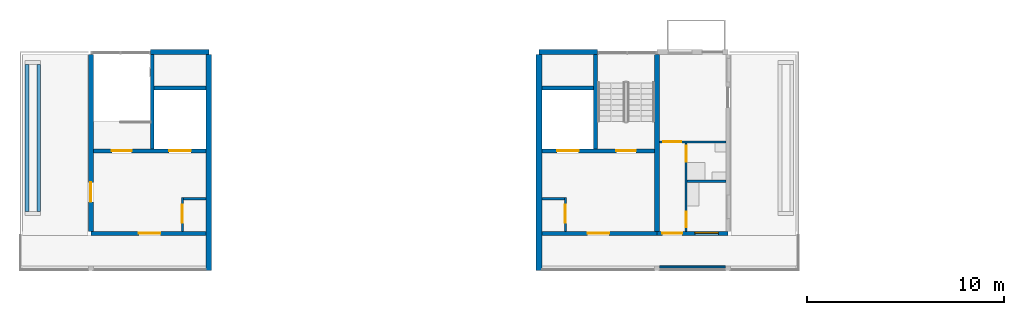
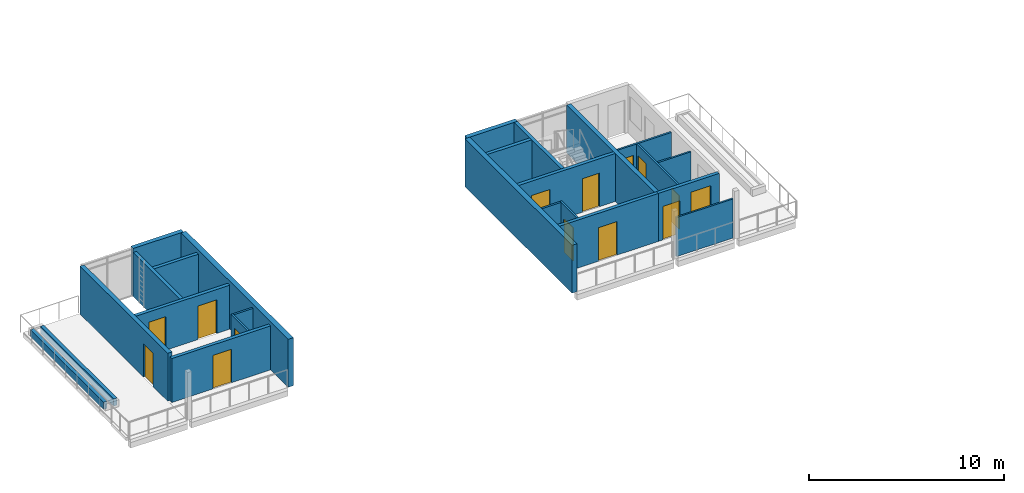
# One storey, part 21 of 33: 25 walls, 13 doors, 1 window, 14 openings.
"""IFC4 building model written with IfcOpenShell, lengths in metres."""

from ifc_helpers import new_model, si_unit, direction, frame, frame_2d, origin, place, context, subcontext, project, spatial, rectangle, extrude, material, layer, layer_set, type_object, element, fill, save


model = new_model("IFC4")

# Units and contexts
model_context = context("Model", 3, precision=1e-05, world=origin(), true_north=direction((0.0, 1.0)))
body_context = subcontext(model_context, "Body", "Model", "MODEL_VIEW")
ifc_project = project(units=[si_unit("LENGTHUNIT", "METRE"), si_unit("AREAUNIT", "SQUARE_METRE"), si_unit("VOLUMEUNIT", "CUBIC_METRE"), si_unit("PLANEANGLEUNIT", "RADIAN"), si_unit("MASSUNIT", "GRAM", prefix="KILO")], contexts=[model_context])

# Site, building, storey
site_placement = place(None, origin())
site = spatial("IfcSite", under=ifc_project, at=site_placement, CompositionType="ELEMENT")
building_placement = place(site_placement, origin())
building = spatial("IfcBuilding", under=site, at=building_placement, Name="Ridgestep Commons", CompositionType="ELEMENT")
storey_placement = place(building_placement, frame((0.0, 0.0, 42.0)))
storey = spatial("IfcBuildingStorey", under=building, at=storey_placement, Name="L14", CompositionType="ELEMENT", Elevation=42.0)

# Wall
ifc_material_1 = material(Name="Concrete C30/37", Category="concrete")
ifc_layer_1 = layer(ifc_material_1, 0.25)
ifc_layer_set_1 = layer_set([ifc_layer_1], Name="Core cross wall 250")
wall_type_1 = type_object("IfcWallType", Name="Core cross wall 250", PredefinedType="SHEAR", material=ifc_layer_set_1)
wall_1_placement = place(storey_placement, frame((51.60009765625, 13.75, 0.0), z_axis=(0.0, 0.0, 1.0), x_axis=(0.0, 1.0, 0.0)))
element("IfcWall", 1, at=wall_1_placement, inside=storey, type_object=wall_type_1, Name="Cross wall A-14-0516", PredefinedType="SHEAR", context=body_context, shape_type="SweptSolid", body=[
    extrude(rectangle(XDim=9.0, YDim=0.25, at=frame_2d((4.5, 0.0))), origin(), (0.0, 0.0, 1.0), 3.0),
])

# Wall, opening, door
ifc_material_2 = material(Name="Concrete C30/37", Category="concrete")
ifc_layer_2 = layer(ifc_material_2, 0.199951171875)
ifc_layer_set_2 = layer_set([ifc_layer_2], Name="Core south wall 200")
wall_type_2 = type_object("IfcWallType", Name="Core south wall 200", PredefinedType="SHEAR", material=ifc_layer_set_2)
wall_2_placement = place(storey_placement, frame((22.800048828125, 13.64990234375, 0.0), z_axis=(0.0, 0.0, 1.0), x_axis=(1.0, 0.0, 0.0)))
wall_2 = element("IfcWall", 2, at=wall_2_placement, inside=storey, type_object=wall_type_2, Name="Core south wall A1C L14", PredefinedType="SHEAR", context=body_context, shape_type="SweptSolid", body=[
    extrude(rectangle(XDim=5.849853515625, YDim=0.199951171875, at=frame_2d((2.9248046875, 0.0))), origin(), (0.0, 0.0, 1.0), 2.75),
])
opening_1_placement = place(wall_2_placement, frame((2.4375, 0.0, 0.0)))
opening_1 = element("IfcOpeningElement", 3, at=opening_1_placement, cuts=wall_2, Name="Opening A1C/14/1", PredefinedType="OPENING", context=body_context, shape_type="SweptSolid", body=[
    extrude(rectangle(XDim=1.10009765625, YDim=2.10009765625, at=frame_2d((0.550048828125, 1.050048828125))), frame((0.0, 0.10986328125, 0.0), z_axis=(0.0, -1.0, 0.0), x_axis=(1.0, 0.0, 0.0)), (0.0, 0.0, 1.0), 0.219970703125),
])
ifc_material_3 = material(Name="Steel fire door", Category="steel")
door_type_1 = type_object("IfcDoorType", Name="Lobby door 1100 x 2100 FD60", OperationType="NOTDEFINED", PredefinedType="DOOR", material=ifc_material_3)
door_1_placement = place(opening_1_placement, origin())
door_1 = element("IfcDoor", 4, at=door_1_placement, inside=storey, type_object=door_type_1, Name="Lobby door A1C/14/1", OperationType="SINGLE_SWING_LEFT", OverallHeight=2.10009765625, OverallWidth=1.10009765625, PredefinedType="DOOR", context=body_context, shape_type="SweptSolid", body=[
    extrude(rectangle(XDim=1.10009765625, YDim=2.10009765625, at=frame_2d((0.550048828125, 1.050048828125))), frame((0.0, 0.02490234375, 0.0), z_axis=(0.0, -1.0, 0.0), x_axis=(1.0, 0.0, 0.0)), (0.0, 0.0, 1.0), 0.050048828125),
])
fill(opening_1, door_1)

wall_3_placement = place(storey_placement, frame((45.75, 13.64990234375, 0.0), z_axis=(0.0, 0.0, 1.0), x_axis=(1.0, 0.0, 0.0)))
wall_3 = element("IfcWall", 5, at=wall_3_placement, inside=storey, type_object=wall_type_2, Name="Core south wall A3C L14", PredefinedType="SHEAR", context=body_context, shape_type="SweptSolid", body=[
    extrude(rectangle(XDim=5.85009765625, YDim=0.199951171875, at=frame_2d((2.925048828125, 0.0))), origin(), (0.0, 0.0, 1.0), 3.0),
])
opening_2_placement = place(wall_3_placement, frame((2.3125, 0.0, 0.0)))
opening_2 = element("IfcOpeningElement", 6, at=opening_2_placement, cuts=wall_3, Name="Opening A3C/14/1", PredefinedType="OPENING", context=body_context, shape_type="SweptSolid", body=[
    extrude(rectangle(XDim=1.10009765625, YDim=2.10009765625, at=frame_2d((0.550048828125, 1.050048828125))), frame((0.0, 0.10986328125, 0.0), z_axis=(0.0, -1.0, 0.0), x_axis=(1.0, 0.0, 0.0)), (0.0, 0.0, 1.0), 0.219970703125),
])
door_2_placement = place(opening_2_placement, origin())
door_2 = element("IfcDoor", 7, at=door_2_placement, inside=storey, type_object=door_type_1, Name="Lobby door A3C/14/1", OperationType="SINGLE_SWING_LEFT", OverallHeight=2.10009765625, OverallWidth=1.10009765625, PredefinedType="DOOR", context=body_context, shape_type="SweptSolid", body=[
    extrude(rectangle(XDim=1.10009765625, YDim=2.10009765625, at=frame_2d((0.550048828125, 1.050048828125))), frame((0.0, 0.02490234375, 0.0), z_axis=(0.0, -1.0, 0.0), x_axis=(1.0, 0.0, 0.0)), (0.0, 0.0, 1.0), 0.050048828125),
])
fill(opening_2, door_2)

ifc_material_4 = material(Name="Concrete C30/37", Category="concrete")
ifc_layer_3 = layer(ifc_material_4, 0.1201171875)
ifc_layer_set_3 = layer_set([ifc_layer_3], Name="Core wall 120")
wall_type_3 = type_object("IfcWallType", Name="Core wall 120", PredefinedType="SHEAR", material=ifc_layer_set_3)
wall_4_placement = place(storey_placement, frame((27.4599609375, 13.75, 0.0), z_axis=(0.0, 0.0, 1.0), x_axis=(0.0, 1.0, 0.0)))
wall_4 = element("IfcWall", 8, at=wall_4_placement, inside=storey, type_object=wall_type_3, Name="Core riser w wall A1C L14", PredefinedType="SHEAR", context=body_context, shape_type="SweptSolid", body=[
    extrude(rectangle(XDim=1.719970703125, YDim=0.1201171875, at=frame_2d((0.85986328125, 0.0))), origin(), (0.0, 0.0, 1.0), 2.75),
])
opening_3_placement = place(wall_4_placement, frame((0.449951171875, 0.0, 0.0)))
opening_3 = element("IfcOpeningElement", 9, at=opening_3_placement, cuts=wall_4, Name="Opening A1C/14/4", PredefinedType="OPENING", context=body_context, shape_type="SweptSolid", body=[
    extrude(rectangle(XDim=0.89990234375, YDim=2.10009765625, at=frame_2d((0.449951171875, 1.050048828125))), frame((0.0, 0.070068359375, 0.0), z_axis=(0.0, -1.0, 0.0), x_axis=(1.0, 0.0, 0.0)), (0.0, 0.0, 1.0), 0.14013671875),
])
ifc_material_5 = material(Name="Steel fire door", Category="steel")
door_type_2 = type_object("IfcDoorType", Name="Riser door 900 x 2100 FD60", OperationType="NOTDEFINED", PredefinedType="DOOR", material=ifc_material_5)
door_3_placement = place(opening_3_placement, origin())
door_3 = element("IfcDoor", 10, at=door_3_placement, inside=storey, type_object=door_type_2, Name="Riser door A1C/14/4", OperationType="SINGLE_SWING_LEFT", OverallHeight=2.10009765625, OverallWidth=0.89990234375, PredefinedType="DOOR", context=body_context, shape_type="SweptSolid", body=[
    extrude(rectangle(XDim=0.89990234375, YDim=2.10009765625, at=frame_2d((0.449951171875, 1.050048828125))), frame((0.0, 0.02490234375, 0.0), z_axis=(0.0, -1.0, 0.0), x_axis=(1.0, 0.0, 0.0)), (0.0, 0.0, 1.0), 0.050048828125),
])
fill(opening_3, door_3)

# Wall
wall_5_placement = place(storey_placement, frame((27.52001953125, 15.409912109375, 0.0), z_axis=(0.0, 0.0, 1.0), x_axis=(1.0, 0.0, 0.0)))
element("IfcWall", 11, at=wall_5_placement, inside=storey, type_object=wall_type_3, Name="Core riser n wall A1C L14", PredefinedType="SHEAR", context=body_context, shape_type="SweptSolid", body=[
    extrude(rectangle(XDim=1.1298828125, YDim=0.1201171875, at=frame_2d((0.56494140625, 0.0))), origin(), (0.0, 0.0, 1.0), 2.75),
])

# Wall, opening, door
wall_6_placement = place(storey_placement, frame((46.93994140625, 13.75, 0.0), z_axis=(0.0, 0.0, 1.0), x_axis=(0.0, 1.0, 0.0)))
wall_6 = element("IfcWall", 12, at=wall_6_placement, inside=storey, type_object=wall_type_3, Name="Core riser w wall A3C L14", PredefinedType="SHEAR", context=body_context, shape_type="SweptSolid", body=[
    extrude(rectangle(XDim=1.719970703125, YDim=0.1201171875, at=frame_2d((0.85986328125, 0.0))), origin(), (0.0, 0.0, 1.0), 3.0),
])
opening_4_placement = place(wall_6_placement, frame((0.449951171875, 0.0, 0.0)))
opening_4 = element("IfcOpeningElement", 13, at=opening_4_placement, cuts=wall_6, Name="Opening A3C/14/4", PredefinedType="OPENING", context=body_context, shape_type="SweptSolid", body=[
    extrude(rectangle(XDim=0.89990234375, YDim=2.10009765625, at=frame_2d((0.449951171875, 1.050048828125))), frame((0.0, 0.070068359375, 0.0), z_axis=(0.0, -1.0, 0.0), x_axis=(1.0, 0.0, 0.0)), (0.0, 0.0, 1.0), 0.14013671875),
])
door_4_placement = place(opening_4_placement, origin())
door_4 = element("IfcDoor", 14, at=door_4_placement, inside=storey, type_object=door_type_2, Name="Riser door A3C/14/4", OperationType="SINGLE_SWING_RIGHT", OverallHeight=2.10009765625, OverallWidth=0.89990234375, PredefinedType="DOOR", context=body_context, shape_type="SweptSolid", body=[
    extrude(rectangle(XDim=0.89990234375, YDim=2.10009765625, at=frame_2d((0.449951171875, 1.050048828125))), frame((0.0, 0.02490234375, 0.0), z_axis=(0.0, -1.0, 0.0), x_axis=(1.0, 0.0, 0.0)), (0.0, 0.0, 1.0), 0.050048828125),
])
fill(opening_4, door_4)

# Wall
wall_7_placement = place(storey_placement, frame((45.75, 15.409912109375, 0.0), z_axis=(0.0, 0.0, 1.0), x_axis=(1.0, 0.0, 0.0)))
element("IfcWall", 15, at=wall_7_placement, inside=storey, type_object=wall_type_3, Name="Core riser n wall A3C L14", PredefinedType="SHEAR", context=body_context, shape_type="SweptSolid", body=[
    extrude(rectangle(XDim=1.1298828125, YDim=0.1201171875, at=frame_2d((0.56494140625, 0.0))), origin(), (0.0, 0.0, 1.0), 3.0),
])

# Wall, openings, doors
ifc_material_6 = material(Name="Concrete C30/37", Category="concrete")
ifc_layer_4 = layer(ifc_material_6, 0.199951171875)
ifc_layer_set_4 = layer_set([ifc_layer_4], Name="Core wall 200")
wall_type_4 = type_object("IfcWallType", Name="Core wall 200", PredefinedType="SHEAR", material=ifc_layer_set_4)
wall_8_placement = place(storey_placement, frame((22.925048828125, 17.85009765625, 0.0), z_axis=(0.0, 0.0, 1.0), x_axis=(1.0, 0.0, 0.0)))
wall_8 = element("IfcWall", 16, at=wall_8_placement, inside=storey, type_object=wall_type_4, Name="Core lobby wall A1C L14", PredefinedType="SHEAR", context=body_context, shape_type="SweptSolid", body=[
    extrude(rectangle(XDim=5.724853515625, YDim=0.199951171875, at=frame_2d((2.8623046875, 0.0))), origin(), (0.0, 0.0, 1.0), 2.75),
])
opening_5_placement = place(wall_8_placement, frame((0.949951171875, 0.0, 0.0)))
opening_5 = element("IfcOpeningElement", 17, at=opening_5_placement, cuts=wall_8, Name="Opening A1C/14/2", PredefinedType="OPENING", context=body_context, shape_type="SweptSolid", body=[
    extrude(rectangle(XDim=1.0, YDim=2.10009765625, at=frame_2d((0.5, 1.050048828125))), frame((0.0, 0.10986328125, 0.0), z_axis=(0.0, -1.0, 0.0), x_axis=(1.0, 0.0, 0.0)), (0.0, 0.0, 1.0), 0.219970703125),
])
opening_6_placement = place(wall_8_placement, frame((3.862548828125, 0.0, 0.0)))
opening_6 = element("IfcOpeningElement", 18, at=opening_6_placement, cuts=wall_8, Name="Opening A1C/14/3", PredefinedType="OPENING", context=body_context, shape_type="SweptSolid", body=[
    extrude(rectangle(XDim=1.10009765625, YDim=2.10009765625, at=frame_2d((0.550048828125, 1.050048828125))), frame((0.0, 0.10986328125, 0.0), z_axis=(0.0, -1.0, 0.0), x_axis=(1.0, 0.0, 0.0)), (0.0, 0.0, 1.0), 0.219970703125),
])
ifc_material_7 = material(Name="Stainless steel", Category="steel")
door_type_3 = type_object("IfcDoorType", Name="Lift landing door 1100 x 2100 FD60", OperationType="DOUBLE_DOOR_SLIDING", PredefinedType="DOOR", material=ifc_material_7)
door_5_placement = place(opening_6_placement, origin())
door_5 = element("IfcDoor", 19, at=door_5_placement, inside=storey, type_object=door_type_3, Name="Landing door LD A1C L14", OperationType="DOUBLE_DOOR_SLIDING", OverallHeight=2.10009765625, OverallWidth=1.10009765625, PredefinedType="DOOR", context=body_context, shape_type="SweptSolid", body=[
    extrude(rectangle(XDim=1.10009765625, YDim=2.10009765625, at=frame_2d((0.550048828125, 1.050048828125))), frame((0.0, 0.02490234375, 0.0), z_axis=(0.0, -1.0, 0.0), x_axis=(1.0, 0.0, 0.0)), (0.0, 0.0, 1.0), 0.050048828125),
])
fill(opening_6, door_5)
ifc_material_8 = material(Name="Steel fire door", Category="steel")
door_type_4 = type_object("IfcDoorType", Name="Stair door 1000 x 2100 FD60", OperationType="NOTDEFINED", PredefinedType="DOOR", material=ifc_material_8)
door_6_placement = place(opening_5_placement, origin())
door_6 = element("IfcDoor", 20, at=door_6_placement, inside=storey, type_object=door_type_4, Name="Stair door A1C/14/2", OperationType="SINGLE_SWING_RIGHT", OverallHeight=2.10009765625, OverallWidth=1.0, PredefinedType="DOOR", context=body_context, shape_type="SweptSolid", body=[
    extrude(rectangle(XDim=1.0, YDim=2.10009765625, at=frame_2d((0.5, 1.050048828125))), frame((0.0, 0.02490234375, 0.0), z_axis=(0.0, -1.0, 0.0), x_axis=(1.0, 0.0, 0.0)), (0.0, 0.0, 1.0), 0.050048828125),
])
fill(opening_5, door_6)

# Walls
wall_9_placement = place(storey_placement, frame((25.925048828125, 17.949951171875, 0.0), z_axis=(0.0, 0.0, 1.0), x_axis=(0.0, 1.0, 0.0)))
element("IfcWall", 21, at=wall_9_placement, inside=storey, type_object=wall_type_4, Name="Core stair wall A1C L14", PredefinedType="SHEAR", context=body_context, shape_type="SweptSolid", body=[
    extrude(rectangle(XDim=4.800048828125, YDim=0.199951171875, at=frame_2d((2.39990234375, 0.0))), origin(), (0.0, 0.0, 1.0), 2.75),
])
wall_10_placement = place(storey_placement, frame((26.02490234375, 21.050048828125, 0.0), z_axis=(0.0, 0.0, 1.0), x_axis=(1.0, 0.0, 0.0)))
element("IfcWall", 22, at=wall_10_placement, inside=storey, type_object=wall_type_4, Name="Core duct wall A1C L14", PredefinedType="SHEAR", context=body_context, shape_type="SweptSolid", body=[
    extrude(rectangle(XDim=2.625, YDim=0.199951171875, at=frame_2d((1.3125, 0.0))), origin(), (0.0, 0.0, 1.0), 2.75),
])

# Wall, openings, doors
wall_11_placement = place(storey_placement, frame((45.75, 17.85009765625, 0.0), z_axis=(0.0, 0.0, 1.0), x_axis=(1.0, 0.0, 0.0)))
wall_11 = element("IfcWall", 23, at=wall_11_placement, inside=storey, type_object=wall_type_4, Name="Core lobby wall A3C L14", PredefinedType="SHEAR", context=body_context, shape_type="SweptSolid", body=[
    extrude(rectangle(XDim=5.72509765625, YDim=0.199951171875, at=frame_2d((2.862548828125, 0.0))), origin(), (0.0, 0.0, 1.0), 3.0),
])
opening_7_placement = place(wall_11_placement, frame((3.77490234375, 0.0, 0.0)))
opening_7 = element("IfcOpeningElement", 24, at=opening_7_placement, cuts=wall_11, Name="Opening A3C/14/2", PredefinedType="OPENING", context=body_context, shape_type="SweptSolid", body=[
    extrude(rectangle(XDim=1.0, YDim=2.10009765625, at=frame_2d((0.5, 1.050048828125))), frame((0.0, 0.10986328125, 0.0), z_axis=(0.0, -1.0, 0.0), x_axis=(1.0, 0.0, 0.0)), (0.0, 0.0, 1.0), 0.219970703125),
])
opening_8_placement = place(wall_11_placement, frame((0.762451171875, 0.0, 0.0)))
opening_8 = element("IfcOpeningElement", 25, at=opening_8_placement, cuts=wall_11, Name="Opening A3C/14/3", PredefinedType="OPENING", context=body_context, shape_type="SweptSolid", body=[
    extrude(rectangle(XDim=1.10009765625, YDim=2.10009765625, at=frame_2d((0.550048828125, 1.050048828125))), frame((0.0, 0.10986328125, 0.0), z_axis=(0.0, -1.0, 0.0), x_axis=(1.0, 0.0, 0.0)), (0.0, 0.0, 1.0), 0.219970703125),
])
door_7_placement = place(opening_8_placement, origin())
door_7 = element("IfcDoor", 26, at=door_7_placement, inside=storey, type_object=door_type_3, Name="Landing door LD A3C L14", OperationType="DOUBLE_DOOR_SLIDING", OverallHeight=2.10009765625, OverallWidth=1.10009765625, PredefinedType="DOOR", context=body_context, shape_type="SweptSolid", body=[
    extrude(rectangle(XDim=1.10009765625, YDim=2.10009765625, at=frame_2d((0.550048828125, 1.050048828125))), frame((0.0, 0.02490234375, 0.0), z_axis=(0.0, -1.0, 0.0), x_axis=(1.0, 0.0, 0.0)), (0.0, 0.0, 1.0), 0.050048828125),
])
fill(opening_8, door_7)
door_8_placement = place(opening_7_placement, origin())
door_8 = element("IfcDoor", 27, at=door_8_placement, inside=storey, type_object=door_type_4, Name="Stair door A3C/14/2", OperationType="SINGLE_SWING_RIGHT", OverallHeight=2.10009765625, OverallWidth=1.0, PredefinedType="DOOR", context=body_context, shape_type="SweptSolid", body=[
    extrude(rectangle(XDim=1.0, YDim=2.10009765625, at=frame_2d((0.5, 1.050048828125))), frame((0.0, 0.02490234375, 0.0), z_axis=(0.0, -1.0, 0.0), x_axis=(1.0, 0.0, 0.0)), (0.0, 0.0, 1.0), 0.050048828125),
])
fill(opening_7, door_8)

# Walls
wall_12_placement = place(storey_placement, frame((48.47509765625, 17.949951171875, 0.0), z_axis=(0.0, 0.0, 1.0), x_axis=(0.0, 1.0, 0.0)))
element("IfcWall", 28, at=wall_12_placement, inside=storey, type_object=wall_type_4, Name="Core stair wall A3C L14", PredefinedType="SHEAR", context=body_context, shape_type="SweptSolid", body=[
    extrude(rectangle(XDim=4.800048828125, YDim=0.199951171875, at=frame_2d((2.39990234375, 0.0))), origin(), (0.0, 0.0, 1.0), 3.0),
])
wall_13_placement = place(storey_placement, frame((45.75, 21.050048828125, 0.0), z_axis=(0.0, 0.0, 1.0), x_axis=(1.0, 0.0, 0.0)))
element("IfcWall", 29, at=wall_13_placement, inside=storey, type_object=wall_type_4, Name="Core duct wall A3C L14", PredefinedType="SHEAR", context=body_context, shape_type="SweptSolid", body=[
    extrude(rectangle(XDim=2.625, YDim=0.199951171875, at=frame_2d((1.3125, 0.0))), origin(), (0.0, 0.0, 1.0), 3.0),
])

# Wall, opening, door
ifc_material_9 = material(Name="Concrete C30/37", Category="concrete")
ifc_layer_5 = layer(ifc_material_9, 0.25)
ifc_layer_set_5 = layer_set([ifc_layer_5], Name="Exposed core cross wall 250")
wall_type_5 = type_object("IfcWallType", Name="Exposed core cross wall 250", PredefinedType="SHEAR", material=ifc_layer_set_5)
wall_14_placement = place(storey_placement, frame((22.800048828125, 13.75, 0.0), z_axis=(0.0, 0.0, 1.0), x_axis=(0.0, 1.0, 0.0)))
wall_14 = element("IfcWall", 30, at=wall_14_placement, inside=storey, type_object=wall_type_5, Name="Cross wall A-14-0228", PredefinedType="SHEAR", context=body_context, shape_type="SweptSolid", body=[
    extrude(rectangle(XDim=9.0, YDim=0.25, at=frame_2d((4.5, 0.0))), origin(), (0.0, 0.0, 1.0), 3.0),
])
opening_9_placement = place(wall_14_placement, frame((1.5, 0.0, 0.0)))
opening_9 = element("IfcOpeningElement", 31, at=opening_9_placement, cuts=wall_14, Name="Opening A1C/14/T", PredefinedType="OPENING", context=body_context, shape_type="SweptSolid", body=[
    extrude(rectangle(XDim=1.0, YDim=2.10009765625, at=frame_2d((0.5, 1.050048828125))), frame((0.0, 0.135009765625, 0.0), z_axis=(0.0, -1.0, 0.0), x_axis=(1.0, 0.0, 0.0)), (0.0, 0.0, 1.0), 0.27001953125),
])
ifc_material_10 = material(Name="Aluminium and glass", Category="aluminium")
door_type_5 = type_object("IfcDoorType", Name="Terrace door 1000 x 2100 FD60", OperationType="NOTDEFINED", PredefinedType="DOOR", material=ifc_material_10)
door_9_placement = place(opening_9_placement, origin())
door_9 = element("IfcDoor", 32, at=door_9_placement, inside=storey, type_object=door_type_5, Name="Terrace door A1C/14/T", OperationType="SINGLE_SWING_LEFT", OverallHeight=2.10009765625, OverallWidth=1.0, PredefinedType="DOOR", context=body_context, shape_type="SweptSolid", body=[
    extrude(rectangle(XDim=1.0, YDim=2.10009765625, at=frame_2d((0.5, 1.050048828125))), frame((0.0, 0.02490234375, 0.0), z_axis=(0.0, -1.0, 0.0), x_axis=(1.0, 0.0, 0.0)), (0.0, 0.0, 1.0), 0.050048828125),
])
fill(opening_9, door_9)

# Walls
ifc_material_11 = material(Name="Precast concrete C40/50", Category="concrete")
ifc_layer_6 = layer(ifc_material_11, 0.300048828125)
ifc_layer_set_6 = layer_set([ifc_layer_6], Name="Exposed division wall 300")
wall_type_6 = type_object("IfcWallType", Name="Exposed division wall 300", PredefinedType="SHEAR", material=ifc_layer_set_6)
for number, where, z_axis, x_axis, name in (
    (33, (28.800048828125, 11.75, 0.0), (0.0, 0.0, 1.0), (0.0, 1.0, 0.0), "Cross wall A-14-0288"),
    (34, (45.60009765625, 11.75, 0.0), (0.0, 0.0, 1.0), (0.0, 1.0, 0.0), "Cross wall A-14-0456"),
):
    element("IfcWall", number, at=place(storey_placement, frame(where, z_axis=z_axis, x_axis=x_axis)), inside=storey, type_object=wall_type_6, Name=name, PredefinedType="SHEAR", context=body_context, shape_type="SweptSolid", body=[
        extrude(rectangle(XDim=11.0, YDim=0.300048828125, at=frame_2d((5.5, 0.0))), origin(), (0.0, 0.0, 1.0), 3.0),
    ])
ifc_material_12 = material(Name="Precast concrete C40/50", Category="concrete")
ifc_layer_7 = layer(ifc_material_12, 0.25)
ifc_layer_set_7 = layer_set([ifc_layer_7], Name="North facade panel 250")
wall_type_7 = type_object("IfcWallType", Name="North facade panel 250", PredefinedType="SOLIDWALL", material=ifc_layer_set_7)
wall_15_placement = place(storey_placement, frame((25.824951171875, 22.875, 0.0), z_axis=(0.0, 0.0, 1.0), x_axis=(1.0, 0.0, 0.0)))
element("IfcWall", 35, at=wall_15_placement, inside=storey, type_object=wall_type_7, Name="North panel A1C L14", PredefinedType="SOLIDWALL", context=body_context, shape_type="SweptSolid", body=[
    extrude(rectangle(XDim=2.97509765625, YDim=0.25, at=frame_2d((1.487548828125, 0.0))), origin(), (0.0, 0.0, 1.0), 3.0),
])
wall_16_placement = place(storey_placement, frame((45.60009765625, 22.875, 0.0), z_axis=(0.0, 0.0, 1.0), x_axis=(1.0, 0.0, 0.0)))
element("IfcWall", 36, at=wall_16_placement, inside=storey, type_object=wall_type_7, Name="North panel A3C L14", PredefinedType="SOLIDWALL", context=body_context, shape_type="SweptSolid", body=[
    extrude(rectangle(XDim=2.974853515625, YDim=0.25, at=frame_2d((1.4873046875, 0.0))), origin(), (0.0, 0.0, 1.0), 3.0),
])

# Wall, openings, doors
ifc_material_13 = material(Name="Common brick 110 mm", Category="masonry")
ifc_layer_8 = layer(ifc_material_13, 0.110107421875)
ifc_layer_set_8 = layer_set([ifc_layer_8], Name="Partition 110")
wall_type_8 = type_object("IfcWallType", Name="Partition 110", PredefinedType="PARTITIONING", material=ifc_layer_set_8)
wall_17_placement = place(storey_placement, frame((53.080078125, 13.75, 0.0), z_axis=(0.0, 0.0, 1.0), x_axis=(0.0, 1.0, 0.0)))
wall_17 = element("IfcWall", 37, at=wall_17_placement, inside=storey, type_object=wall_type_8, Name="Partition A3-14a", PredefinedType="PARTITIONING", context=body_context, shape_type="SweptSolid", body=[
    extrude(rectangle(XDim=4.5, YDim=0.110107421875, at=frame_2d((2.25, 0.0))), origin(), (0.0, 0.0, 1.0), 2.75),
])
opening_10_placement = place(wall_17_placement, frame((0.199951171875, 0.0, 0.0)))
opening_10 = element("IfcOpeningElement", 38, at=opening_10_placement, cuts=wall_17, Name="Opening A3-14a/2", PredefinedType="OPENING", context=body_context, shape_type="SweptSolid", body=[
    extrude(rectangle(XDim=0.800048828125, YDim=2.10009765625, at=frame_2d((0.39990234375, 1.050048828125))), frame((0.0, 0.06494140625, 0.0), z_axis=(0.0, -1.0, 0.0), x_axis=(1.0, 0.0, 0.0)), (0.0, 0.0, 1.0), 0.130126953125),
])
opening_11_placement = place(wall_17_placement, frame((3.550048828125, 0.0, 0.0)))
opening_11 = element("IfcOpeningElement", 39, at=opening_11_placement, cuts=wall_17, Name="Opening A3-14a/3", PredefinedType="OPENING", context=body_context, shape_type="SweptSolid", body=[
    extrude(rectangle(XDim=0.800048828125, YDim=2.10009765625, at=frame_2d((0.39990234375, 1.050048828125))), frame((0.0, 0.06494140625, 0.0), z_axis=(0.0, -1.0, 0.0), x_axis=(1.0, 0.0, 0.0)), (0.0, 0.0, 1.0), 0.130126953125),
])
ifc_material_14 = material(Name="Timber door leaf", Category="wood")
door_type_6 = type_object("IfcDoorType", Name="Internal door 800 x 2100", OperationType="NOTDEFINED", PredefinedType="DOOR", material=ifc_material_14)
door_10_placement = place(opening_10_placement, origin())
door_10 = element("IfcDoor", 40, at=door_10_placement, inside=storey, type_object=door_type_6, Name="Internal door A3-14a/2", OperationType="SINGLE_SWING_RIGHT", OverallHeight=2.10009765625, OverallWidth=0.800048828125, PredefinedType="DOOR", context=body_context, shape_type="SweptSolid", body=[
    extrude(rectangle(XDim=0.800048828125, YDim=2.10009765625, at=frame_2d((0.39990234375, 1.050048828125))), frame((0.0, 0.02490234375, 0.0), z_axis=(0.0, -1.0, 0.0), x_axis=(1.0, 0.0, 0.0)), (0.0, 0.0, 1.0), 0.050048828125),
])
fill(opening_10, door_10)
door_11_placement = place(opening_11_placement, origin())
door_11 = element("IfcDoor", 41, at=door_11_placement, inside=storey, type_object=door_type_6, Name="Internal door A3-14a/3", OperationType="SINGLE_SWING_LEFT", OverallHeight=2.10009765625, OverallWidth=0.800048828125, PredefinedType="DOOR", context=body_context, shape_type="SweptSolid", body=[
    extrude(rectangle(XDim=0.800048828125, YDim=2.10009765625, at=frame_2d((0.39990234375, 1.050048828125))), frame((0.0, 0.02490234375, 0.0), z_axis=(0.0, -1.0, 0.0), x_axis=(1.0, 0.0, 0.0)), (0.0, 0.0, 1.0), 0.050048828125),
])
fill(opening_11, door_11)

# Wall
wall_18_placement = place(storey_placement, frame((53.135009765625, 16.304931640625, 0.0), z_axis=(0.0, 0.0, 1.0), x_axis=(1.0, 0.0, 0.0)))
element("IfcWall", 42, at=wall_18_placement, inside=storey, type_object=wall_type_8, Name="Partition A3-14a", PredefinedType="PARTITIONING", context=body_context, shape_type="SweptSolid", body=[
    extrude(rectangle(XDim=1.965087890625, YDim=0.110107421875, at=frame_2d((0.982421875, 0.0))), origin(), (0.0, 0.0, 1.0), 2.75),
])

# Wall, opening, door
wall_19_placement = place(storey_placement, frame((51.72509765625, 18.304931640625, 0.0), z_axis=(0.0, 0.0, 1.0), x_axis=(1.0, 0.0, 0.0)))
wall_19 = element("IfcWall", 43, at=wall_19_placement, inside=storey, type_object=wall_type_8, Name="Partition A3-14a", PredefinedType="PARTITIONING", context=body_context, shape_type="SweptSolid", body=[
    extrude(rectangle(XDim=3.375, YDim=0.110107421875, at=frame_2d((1.6875, 0.0))), origin(), (0.0, 0.0, 1.0), 2.75),
])
opening_12_placement = place(wall_19_placement, frame((0.199951171875, 0.0, 0.0)))
opening_12 = element("IfcOpeningElement", 44, at=opening_12_placement, cuts=wall_19, Name="Opening A3-14a/4", PredefinedType="OPENING", context=body_context, shape_type="SweptSolid", body=[
    extrude(rectangle(XDim=0.89990234375, YDim=2.10009765625, at=frame_2d((0.449951171875, 1.050048828125))), frame((0.0, 0.06494140625, 0.0), z_axis=(0.0, -1.0, 0.0), x_axis=(1.0, 0.0, 0.0)), (0.0, 0.0, 1.0), 0.130126953125),
])
ifc_material_15 = material(Name="Timber door leaf", Category="wood")
door_type_7 = type_object("IfcDoorType", Name="Internal door 900 x 2100", OperationType="NOTDEFINED", PredefinedType="DOOR", material=ifc_material_15)
door_12_placement = place(opening_12_placement, origin())
door_12 = element("IfcDoor", 45, at=door_12_placement, inside=storey, type_object=door_type_7, Name="Internal door A3-14a/4", OperationType="SINGLE_SWING_LEFT", OverallHeight=2.10009765625, OverallWidth=0.89990234375, PredefinedType="DOOR", context=body_context, shape_type="SweptSolid", body=[
    extrude(rectangle(XDim=0.89990234375, YDim=2.10009765625, at=frame_2d((0.449951171875, 1.050048828125))), frame((0.0, 0.02490234375, 0.0), z_axis=(0.0, -1.0, 0.0), x_axis=(1.0, 0.0, 0.0)), (0.0, 0.0, 1.0), 0.050048828125),
])
fill(opening_12, door_12)

# Walls
ifc_material_16 = material(Name="Precast concrete C30/37", Category="concrete")
ifc_layer_9 = layer(ifc_material_16, 0.10009765625)
ifc_layer_set_9 = layer_set([ifc_layer_9], Name="Perforated gallery screen 3350 x 2450 x 100")
wall_type_9 = type_object("IfcWallType", Name="Perforated gallery screen 3350 x 2450 x 100", PredefinedType="SOLIDWALL", material=ifc_layer_set_9)
wall_20_placement = place(storey_placement, frame((51.72509765625, 11.949951171875, 0.0), z_axis=(0.0, 0.0, 1.0), x_axis=(1.0, 0.0, 0.0)))
element("IfcWall", 46, at=wall_20_placement, inside=storey, type_object=wall_type_9, Name="Gallery screen A3T3 14", PredefinedType="SOLIDWALL", context=body_context, shape_type="SweptSolid", body=[
    extrude(rectangle(XDim=3.349853515625, YDim=0.10009765625, at=frame_2d((1.6748046875, 0.0))), origin(), (0.0, 0.0, 1.0), 2.449951171875),
])
ifc_material_17 = material(Name="Facing brick", Category="masonry")
ifc_layer_10 = layer(ifc_material_17, 0.199951171875)
ifc_layer_set_10 = layer_set([ifc_layer_10], Name="Planter wall 200")
wall_type_10 = type_object("IfcWallType", Name="Planter wall 200", PredefinedType="SOLIDWALL", material=ifc_layer_set_10)
for number, where, z_axis, x_axis, name in (
    (47, (19.550048828125, 14.75, 0.010009765625), (0.0, 0.0, 1.0), (0.0, 1.0, 0.0), "Planter wall A1R3W"),
    (48, (20.14990234375, 14.75, 0.010009765625), (0.0, 0.0, 1.0), (0.0, 1.0, 0.0), "Planter wall A1R3E"),
):
    element("IfcWall", number, at=place(storey_placement, frame(where, z_axis=z_axis, x_axis=x_axis)), inside=storey, type_object=wall_type_10, Name=name, PredefinedType="SOLIDWALL", context=body_context, shape_type="SweptSolid", body=[
        extrude(rectangle(XDim=7.5, YDim=0.199951171875, at=frame_2d((3.75, 0.0))), origin(), (0.0, 0.0, 1.0), 0.449951171875),
    ])

# Wall, openings, door, window
ifc_material_18 = material(Name="Precast concrete C40/50", Category="concrete")
ifc_layer_11 = layer(ifc_material_18, 0.199951171875)
ifc_layer_set_11 = layer_set([ifc_layer_11], Name="South facade panel 200")
wall_type_11 = type_object("IfcWallType", Name="South facade panel 200", PredefinedType="SOLIDWALL", material=ifc_layer_set_11)
wall_21_placement = place(storey_placement, frame((51.60009765625, 13.64990234375, 0.0), z_axis=(0.0, 0.0, 1.0), x_axis=(1.0, 0.0, 0.0)))
wall_21 = element("IfcWall", 49, at=wall_21_placement, inside=storey, type_object=wall_type_11, Name="South panel A3T3 L14", PredefinedType="SOLIDWALL", context=body_context, shape_type="SweptSolid", body=[
    extrude(rectangle(XDim=3.599853515625, YDim=0.199951171875, at=frame_2d((1.7998046875, 0.0))), origin(), (0.0, 0.0, 1.0), 3.0),
])
opening_13_placement = place(wall_21_placement, frame((1.91748046875, 0.0, 1.10009765625)))
opening_13 = element("IfcOpeningElement", 50, at=opening_13_placement, cuts=wall_21, Name="Opening W08", PredefinedType="OPENING", context=body_context, shape_type="SweptSolid", body=[
    extrude(rectangle(XDim=1.199951171875, YDim=1.300048828125, at=frame_2d((0.60009765625, 0.64990234375))), frame((0.0, 0.10986328125, 0.0), z_axis=(0.0, -1.0, 0.0), x_axis=(1.0, 0.0, 0.0)), (0.0, 0.0, 1.0), 0.219970703125),
])
opening_14_placement = place(wall_21_placement, frame((0.27490234375, 0.0, 0.0)))
opening_14 = element("IfcOpeningElement", 51, at=opening_14_placement, cuts=wall_21, Name="Opening A3-14a/1", PredefinedType="OPENING", context=body_context, shape_type="SweptSolid", body=[
    extrude(rectangle(XDim=1.0, YDim=2.10009765625, at=frame_2d((0.5, 1.050048828125))), frame((0.0, 0.10986328125, 0.0), z_axis=(0.0, -1.0, 0.0), x_axis=(1.0, 0.0, 0.0)), (0.0, 0.0, 1.0), 0.219970703125),
])
ifc_material_19 = material(Name="Timber door leaf", Category="wood")
door_type_8 = type_object("IfcDoorType", Name="Flat entrance door 1000 x 2100 FD30S", OperationType="NOTDEFINED", PredefinedType="DOOR", material=ifc_material_19)
door_13_placement = place(opening_14_placement, origin())
door_13 = element("IfcDoor", 52, at=door_13_placement, inside=storey, type_object=door_type_8, Name="Flat entrance door A3-14a/1", OperationType="SINGLE_SWING_LEFT", OverallHeight=2.10009765625, OverallWidth=1.0, PredefinedType="DOOR", context=body_context, shape_type="SweptSolid", body=[
    extrude(rectangle(XDim=1.0, YDim=2.10009765625, at=frame_2d((0.5, 1.050048828125))), frame((0.0, 0.02490234375, 0.0), z_axis=(0.0, -1.0, 0.0), x_axis=(1.0, 0.0, 0.0)), (0.0, 0.0, 1.0), 0.050048828125),
])
fill(opening_14, door_13)
ifc_material_20 = material(Name="Aluminium 6063-T6 and glass", Category="aluminium")
window_type = type_object("IfcWindowType", Name="Flat window 1200 x 1300", PartitioningType="SINGLE_PANEL", PredefinedType="WINDOW", material=ifc_material_20)
window_placement = place(opening_13_placement, origin())
window = element("IfcWindow", 53, at=window_placement, inside=storey, type_object=window_type, Name="Window A3-14a 1", OverallHeight=1.300048828125, OverallWidth=1.199951171875, PartitioningType="SINGLE_PANEL", PredefinedType="WINDOW", context=body_context, shape_type="SweptSolid", body=[
    extrude(rectangle(XDim=1.199951171875, YDim=1.300048828125, at=frame_2d((0.60009765625, 0.64990234375))), frame((0.0, 0.06005859375, 0.0), z_axis=(0.0, -1.0, 0.0), x_axis=(1.0, 0.0, 0.0)), (0.0, 0.0, 1.0), 0.06005859375),
])
fill(opening_13, window)

save(model, "model.ifc")
